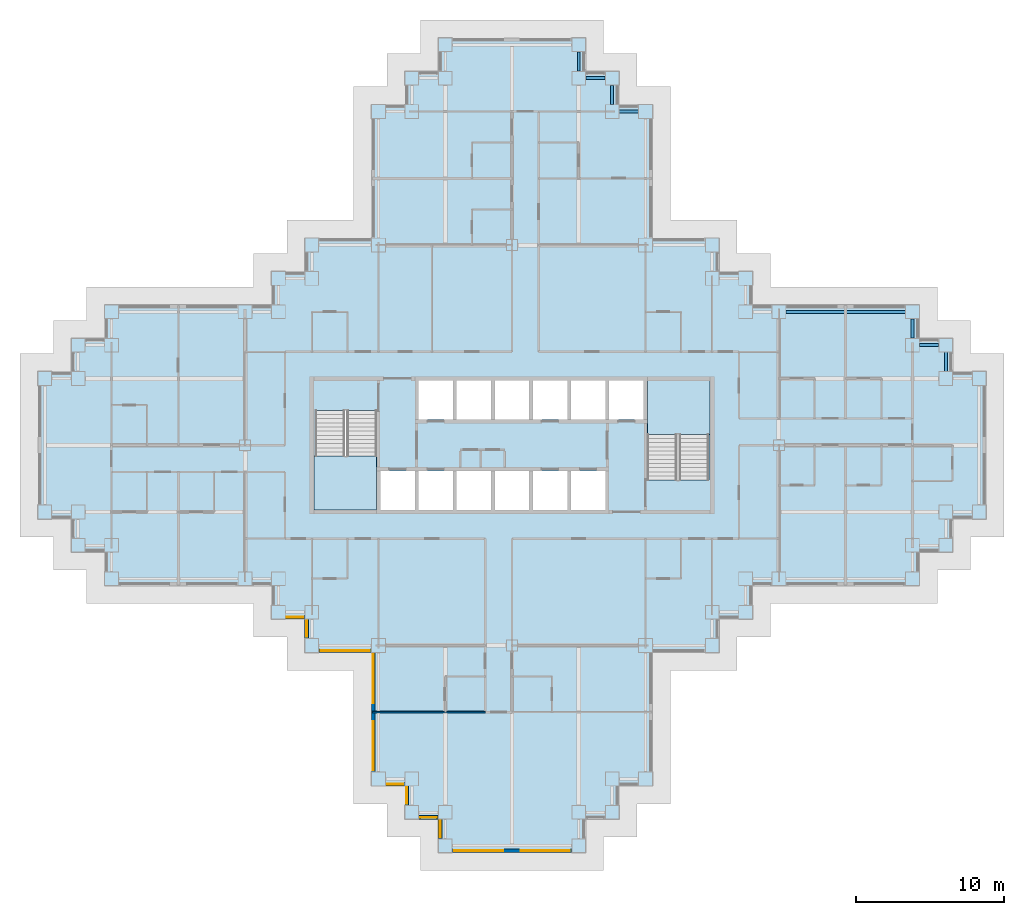
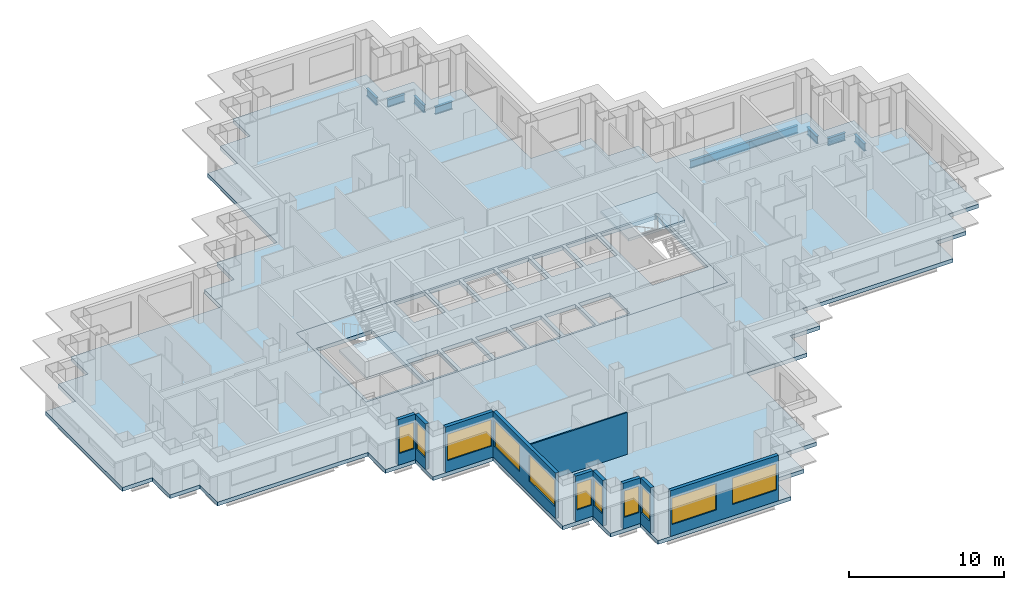
# One storey, part 2 of 15: 11 windows, 10 walls, 8 beams, 4 slabs, 11 openings, 2 elements without a shape of their own.
"""IFC4 building model written with IfcOpenShell, lengths in metres."""

from ifc_helpers import new_model, si_unit, direction, frame, frame_2d, origin, origin_2d, place, context, subcontext, project, spatial, polyline, rectangle, i_section, outline, extrude, material, layer, layer_set, material_profile, profile_set, type_object, element, fill, aggregate, save


model = new_model("IFC4")

# Units and contexts
model_context = context("Model", 3, precision=1e-05, world=origin(), true_north=direction((0.0, 1.0)))
body_context = subcontext(model_context, "Body", "Model", "MODEL_VIEW")
ifc_project = project(units=[si_unit("LENGTHUNIT", "METRE"), si_unit("AREAUNIT", "SQUARE_METRE"), si_unit("VOLUMEUNIT", "CUBIC_METRE"), si_unit("PLANEANGLEUNIT", "RADIAN"), si_unit("MASSUNIT", "GRAM", prefix="KILO")], contexts=[model_context])

# Site, building, storey
site_placement = place(None, origin())
site = spatial("IfcSite", under=ifc_project, at=site_placement, CompositionType="ELEMENT")
building_placement = place(site_placement, origin())
building = spatial("IfcBuilding", under=site, at=building_placement, Name="Caravel Reach Hotel and Residences", CompositionType="ELEMENT")
storey_placement = place(building_placement, frame((0.0, 0.0, 78.0)))
storey = spatial("IfcBuildingStorey", under=building, at=storey_placement, Name="L18", CompositionType="ELEMENT", Elevation=78.0)

# Beams
ifc_material_1 = material(Name="Structural steel Q355B", Category="steel")
ifc_material_profile = material_profile(ifc_material_1, i_section(OverallWidth=0.199951171875, OverallDepth=0.60009765625, WebThickness=0.010986328125, FlangeThickness=0.01708984375, FilletRadius=0.012939453125, at=origin_2d()), Name="HN 600x200x11x17")
ifc_profile_set = profile_set([ifc_material_profile], Name="Structural steel Q355B")
beam_type = type_object("IfcBeamType", Name="Spandrel beam HN 600x200x11x17", PredefinedType="SPANDREL", material=ifc_profile_set)
for number, where, z_axis, x_axis, name in (
    (1, (60.75, 31.97509765625, -0.60009765625), (0.0, 1.0, 0.0), (-1.0, 0.0, 0.0), "SP1 HN 600x200x11x17"),
    (2, (60.27490234375, 33.75, -0.60009765625), (-1.0, 0.0, 0.0), (0.0, -1.0, 0.0), "SP1 HN 600x200x11x17"),
    (3, (58.5, 34.22509765625, -0.60009765625), (0.0, 1.0, 0.0), (-1.0, 0.0, 0.0), "SP1 HN 600x200x11x17"),
):
    element("IfcBeam", number, at=place(storey_placement, frame(where, z_axis=z_axis, x_axis=x_axis)), inside=storey, type_object=beam_type, Name=name, PredefinedType="SPANDREL", context=body_context, shape_type="SweptSolid", body=[
        extrude(i_section(OverallWidth=0.199951171875, OverallDepth=0.60009765625, WebThickness=0.010986328125, FlangeThickness=0.01708984375, FilletRadius=0.012939453125, at=origin_2d()), origin(), (0.0, 0.0, 1.0), 1.2998046875),
    ])
beam_placement = place(storey_placement, frame((58.02490234375, 36.0, -0.60009765625), z_axis=(-1.0, 0.0, 0.0), x_axis=(0.0, -1.0, 0.0)))
element("IfcBeam", 4, at=beam_placement, inside=storey, type_object=beam_type, Name="SP1 HN 600x200x11x17", PredefinedType="SPANDREL", context=body_context, shape_type="SweptSolid", body=[
    extrude(i_section(OverallWidth=0.199951171875, OverallDepth=0.60009765625, WebThickness=0.010986328125, FlangeThickness=0.01708984375, FilletRadius=0.012939453125, at=origin_2d()), origin(), (0.0, 0.0, 1.0), 8.0498046875),
])
for number, where, z_axis, x_axis, name in (
    (5, (40.02490234375, 49.5, -0.60009765625), (-1.0, 0.0, 0.0), (0.0, -1.0, 0.0), "SP1 HN 600x200x11x17"),
    (6, (38.25, 49.97509765625, -0.60009765625), (0.0, 1.0, 0.0), (-1.0, 0.0, 0.0), "SP1 HN 600x200x11x17"),
    (7, (37.77490234375, 51.75, -0.60009765625), (-1.0, 0.0, 0.0), (0.0, -1.0, 0.0), "SP1 HN 600x200x11x17"),
    (8, (36.0, 52.22509765625, -0.60009765625), (0.0, 1.0, 0.0), (-1.0, 0.0, 0.0), "SP1 HN 600x200x11x17"),
):
    element("IfcBeam", number, at=place(storey_placement, frame(where, z_axis=z_axis, x_axis=x_axis)), inside=storey, type_object=beam_type, Name=name, PredefinedType="SPANDREL", context=body_context, shape_type="SweptSolid", body=[
        extrude(i_section(OverallWidth=0.199951171875, OverallDepth=0.60009765625, WebThickness=0.010986328125, FlangeThickness=0.01708984375, FilletRadius=0.012939453125, at=origin_2d()), origin(), (0.0, 0.0, 1.0), 1.2998046875),
    ])

# Slab
ifc_material_2 = material(Name="Concrete C40", Category="concrete")
ifc_layer_1 = layer(ifc_material_2, 0.300048828125)
ifc_layer_set_1 = layer_set([ifc_layer_1], Name="Core floor slab 300 mm")
slab_type_1 = type_object("IfcSlabType", Name="Core floor slab 300 mm", PredefinedType="FLOOR", material=ifc_layer_set_1)
slab_1_placement = place(storey_placement, frame((0.0, 0.0, -0.300048828125)))
element("IfcSlab", 9, at=slab_1_placement, inside=storey, type_object=slab_type_1, Name="L18 core floor", PredefinedType="FLOOR", context=body_context, shape_type="SweptSolid", body=[
    extrude(outline(polyline([(18.0, 31.5), (45.0, 31.5), (45.0, 22.5), (18.0, 22.5), (18.0, 31.5)]), holes=[polyline([(22.625, 25.27490234375), (22.625, 22.64990234375), (24.9462890625, 22.64990234375), (24.9462890625, 25.27490234375), (22.625, 25.27490234375)]), polyline([(27.517822265625, 25.27490234375), (25.1962890625, 25.27490234375), (25.1962890625, 22.64990234375), (27.517822265625, 22.64990234375), (27.517822265625, 25.27490234375)]), polyline([(30.08935546875, 25.27490234375), (27.767822265625, 25.27490234375), (27.767822265625, 22.64990234375), (30.08935546875, 22.64990234375), (30.08935546875, 25.27490234375)]), polyline([(32.66064453125, 25.27490234375), (30.33935546875, 25.27490234375), (30.33935546875, 22.64990234375), (32.66064453125, 22.64990234375), (32.66064453125, 25.27490234375)]), polyline([(18.22509765625, 22.64990234375), (22.375, 22.64990234375), (22.375, 29.35009765625), (18.22509765625, 29.35009765625), (18.22509765625, 22.64990234375)]), polyline([(27.517822265625, 31.35009765625), (25.1962890625, 31.35009765625), (25.1962890625, 28.72509765625), (27.517822265625, 28.72509765625), (27.517822265625, 31.35009765625)]), polyline([(30.08935546875, 31.35009765625), (27.767822265625, 31.35009765625), (27.767822265625, 28.72509765625), (30.08935546875, 28.72509765625), (30.08935546875, 31.35009765625)]), polyline([(32.91064453125, 25.27490234375), (32.91064453125, 22.64990234375), (35.232177734375, 22.64990234375), (35.232177734375, 25.27490234375), (32.91064453125, 25.27490234375)]), polyline([(37.8037109375, 25.27490234375), (35.482177734375, 25.27490234375), (35.482177734375, 22.64990234375), (37.8037109375, 22.64990234375), (37.8037109375, 25.27490234375)]), polyline([(44.77490234375, 31.35009765625), (40.625, 31.35009765625), (40.625, 24.64990234375), (44.77490234375, 24.64990234375), (44.77490234375, 31.35009765625)]), polyline([(32.66064453125, 31.35009765625), (30.33935546875, 31.35009765625), (30.33935546875, 28.72509765625), (32.66064453125, 28.72509765625), (32.66064453125, 31.35009765625)]), polyline([(35.232177734375, 31.35009765625), (32.91064453125, 31.35009765625), (32.91064453125, 28.72509765625), (35.232177734375, 28.72509765625), (35.232177734375, 31.35009765625)]), polyline([(37.8037109375, 31.35009765625), (35.482177734375, 31.35009765625), (35.482177734375, 28.72509765625), (37.8037109375, 28.72509765625), (37.8037109375, 31.35009765625)]), polyline([(40.375, 31.35009765625), (38.0537109375, 31.35009765625), (38.0537109375, 28.72509765625), (40.375, 28.72509765625), (40.375, 31.35009765625)])]), origin(), (0.0, 0.0, 1.0), 0.300048828125),
])

# Stair, slab
ifc_material_3 = material(Name="Concrete C40", Category="concrete")
stair_type = type_object("IfcStairType", Name="Core stair", PredefinedType="HALF_TURN_STAIR", material=ifc_material_3)
stair_1_placement = place(storey_placement, origin())
stair_1 = element("IfcStair", 10, at=stair_1_placement, inside=storey, type_object=stair_type, Name="L18 Exit stair A", PredefinedType="HALF_TURN_STAIR")
ifc_material_4 = material(Name="Concrete C40", Category="concrete")
ifc_layer_2 = layer(ifc_material_4, 0.199951171875)
ifc_layer_set_2 = layer_set([ifc_layer_2], Name="Core stair landing")
slab_type_2 = type_object("IfcSlabType", Name="Core stair landing", PredefinedType="LANDING", material=ifc_layer_set_2)
slab_2_placement = place(storey_placement, frame((0.0, 0.0, 1.60009765625)))
slab_2 = element("IfcSlab", 11, at=slab_2_placement, type_object=slab_type_2, Name="ST-A landing 1", PredefinedType="LANDING", context=body_context, shape_type="SweptSolid", body=[
    extrude(outline(polyline([(18.14990234375, 26.27001953125), (18.14990234375, 22.64990234375), (22.375, 22.64990234375), (22.375, 26.27001953125), (18.14990234375, 26.27001953125)])), origin(), (0.0, 0.0, 1.0), 0.199951171875),
])
aggregate(stair_1, [slab_2])

stair_2_placement = place(storey_placement, origin())
stair_2 = element("IfcStair", 12, at=stair_2_placement, inside=storey, type_object=stair_type, Name="L18 Exit stair B", PredefinedType="HALF_TURN_STAIR")
slab_3_placement = place(storey_placement, frame((0.0, 0.0, 1.60009765625)))
slab_3 = element("IfcSlab", 13, at=slab_3_placement, type_object=slab_type_2, Name="ST-B landing 1", PredefinedType="LANDING", context=body_context, shape_type="SweptSolid", body=[
    extrude(outline(polyline([(44.85009765625, 27.72998046875), (44.85009765625, 31.35009765625), (40.625, 31.35009765625), (40.625, 27.72998046875), (44.85009765625, 27.72998046875)])), origin(), (0.0, 0.0, 1.0), 0.199951171875),
])
aggregate(stair_2, [slab_3])

# Slab
ifc_material_5 = material(Name="Concrete C40 post-tensioned", Category="concrete")
ifc_layer_3 = layer(ifc_material_5, 0.300048828125)
ifc_layer_set_3 = layer_set([ifc_layer_3], Name="Floor slab 300")
slab_type_3 = type_object("IfcSlabType", Name="Floor slab 300", PredefinedType="FLOOR", material=ifc_layer_set_3)
slab_4_placement = place(storey_placement, frame((0.0, 0.0, -0.300048828125)))
element("IfcSlab", 14, at=slab_4_placement, inside=storey, type_object=slab_type_3, Name="S2 slab L18", PredefinedType="FLOOR", context=body_context, shape_type="SweptSolid", body=[
    extrude(outline(polyline([(17.52490234375, 13.02490234375), (17.52490234375, 15.27490234375), (15.27490234375, 15.27490234375), (15.27490234375, 17.52490234375), (4.02490234375, 17.52490234375), (4.02490234375, 19.77490234375), (1.77490234375, 19.77490234375), (1.77490234375, 22.02490234375), (-0.47509765625, 22.02490234375), (-0.47509765625, 31.97509765625), (1.77490234375, 31.97509765625), (1.77490234375, 34.22509765625), (4.02490234375, 34.22509765625), (4.02490234375, 36.47509765625), (15.27490234375, 36.47509765625), (15.27490234375, 38.72509765625), (17.52490234375, 38.72509765625), (17.52490234375, 40.97509765625), (22.02490234375, 40.97509765625), (22.02490234375, 49.97509765625), (24.27490234375, 49.97509765625), (24.27490234375, 52.22509765625), (26.52490234375, 52.22509765625), (26.52490234375, 54.47509765625), (36.47509765625, 54.47509765625), (36.47509765625, 52.22509765625), (38.72509765625, 52.22509765625), (38.72509765625, 49.97509765625), (40.97509765625, 49.97509765625), (40.97509765625, 40.97509765625), (45.47509765625, 40.97509765625), (45.47509765625, 38.72509765625), (47.72509765625, 38.72509765625), (47.72509765625, 36.47509765625), (58.97509765625, 36.47509765625), (58.97509765625, 34.22509765625), (61.22509765625, 34.22509765625), (61.22509765625, 31.97509765625), (63.47509765625, 31.97509765625), (63.47509765625, 22.02490234375), (61.22509765625, 22.02490234375), (61.22509765625, 19.77490234375), (58.97509765625, 19.77490234375), (58.97509765625, 17.52490234375), (47.72509765625, 17.52490234375), (47.72509765625, 15.27490234375), (45.47509765625, 15.27490234375), (45.47509765625, 13.02490234375), (40.97509765625, 13.02490234375), (40.97509765625, 4.02490234375), (38.72509765625, 4.02490234375), (38.72509765625, 1.77490234375), (36.47509765625, 1.77490234375), (36.47509765625, -0.47509765625), (26.52490234375, -0.47509765625), (26.52490234375, 1.77490234375), (24.27490234375, 1.77490234375), (24.27490234375, 4.02490234375), (22.02490234375, 4.02490234375), (22.02490234375, 13.02490234375), (17.52490234375, 13.02490234375)]), holes=[polyline([(45.0, 31.5), (18.0, 31.5), (18.0, 22.5), (45.0, 22.5), (45.0, 31.5)])]), origin(), (0.0, 0.0, 1.0), 0.300048828125),
])

# Wall, opening, window
ifc_material_6 = material(Name="Insulated rainscreen wall, aluminium cladding", Category="aluminium")
ifc_layer_4 = layer(ifc_material_6, 0.25)
ifc_layer_set_4 = layer_set([ifc_layer_4], Name="EW1 Tower rainscreen wall")
wall_type_1 = type_object("IfcWallType", Name="EW1 Tower rainscreen wall", PredefinedType="SOLIDWALL", material=ifc_layer_set_4)
wall_1_placement = place(storey_placement, frame((22.97509765625, 4.14990234375, 0.0), z_axis=(0.0, 0.0, 1.0), x_axis=(1.0, 0.0, 0.0)))
wall_1 = element("IfcWall", 15, at=wall_1_placement, inside=storey, type_object=wall_type_1, Name="External wall L18 S1.1", PredefinedType="SOLIDWALL", context=body_context, shape_type="SweptSolid", body=[
    extrude(rectangle(XDim=1.2998046875, YDim=0.25, at=frame_2d((0.64990234375, 0.0))), origin(), (0.0, 0.0, 1.0), 3.60009765625),
])
opening_1_placement = place(wall_1_placement, frame((0.10009765625, 0.0, 0.89990234375)))
opening_1 = element("IfcOpeningElement", 16, at=opening_1_placement, cuts=wall_1, Name="Opening WN5", PredefinedType="OPENING", context=body_context, shape_type="SweptSolid", body=[
    extrude(rectangle(XDim=1.10009765625, YDim=2.080078125, at=frame_2d((0.550048828125, 1.0400390625))), frame((0.0, 0.135009765625, 0.0), z_axis=(0.0, -1.0, 0.0), x_axis=(1.0, 0.0, 0.0)), (0.0, 0.0, 1.0), 0.27001953125),
])
ifc_material_7 = material(Name="Dark low-e glazing in black aluminium frame", Category="aluminium")
window_type_1 = type_object("IfcWindowType", Name="Hotel suite corner window 1100 x 2080", PartitioningType="SINGLE_PANEL", PredefinedType="WINDOW", material=ifc_material_7)
window_1_placement = place(opening_1_placement, origin())
window_1 = element("IfcWindow", 17, at=window_1_placement, inside=storey, type_object=window_type_1, Name="Window L18 S1.1.1", OverallHeight=2.080078125, OverallWidth=1.10009765625, PartitioningType="SINGLE_PANEL", PredefinedType="WINDOW", context=body_context, shape_type="SweptSolid", body=[
    extrude(rectangle(XDim=1.10009765625, YDim=2.080078125, at=frame_2d((0.550048828125, 1.0400390625))), frame((0.0, 0.030029296875, 0.0), z_axis=(0.0, -1.0, 0.0), x_axis=(1.0, 0.0, 0.0)), (0.0, 0.0, 1.0), 0.06005859375),
])
fill(opening_1, window_1)

wall_2_placement = place(storey_placement, frame((24.39990234375, 4.02490234375, 0.0), z_axis=(0.0, 0.0, 1.0), x_axis=(0.0, -1.0, 0.0)))
wall_2 = element("IfcWall", 18, at=wall_2_placement, inside=storey, type_object=wall_type_1, Name="External wall L18 W2.1", PredefinedType="SOLIDWALL", context=body_context, shape_type="SweptSolid", body=[
    extrude(rectangle(XDim=1.2998046875, YDim=0.25, at=frame_2d((0.64990234375, 0.0))), origin(), (0.0, 0.0, 1.0), 3.60009765625),
])
opening_2_placement = place(wall_2_placement, frame((0.10009765625, 0.0, 0.89990234375)))
opening_2 = element("IfcOpeningElement", 19, at=opening_2_placement, cuts=wall_2, Name="Opening WN5", PredefinedType="OPENING", context=body_context, shape_type="SweptSolid", body=[
    extrude(rectangle(XDim=1.10009765625, YDim=2.080078125, at=frame_2d((0.550048828125, 1.0400390625))), frame((0.0, 0.135009765625, 0.0), z_axis=(0.0, -1.0, 0.0), x_axis=(1.0, 0.0, 0.0)), (0.0, 0.0, 1.0), 0.27001953125),
])
window_2_placement = place(opening_2_placement, origin())
window_2 = element("IfcWindow", 20, at=window_2_placement, inside=storey, type_object=window_type_1, Name="Window L18 W2.1.1", OverallHeight=2.080078125, OverallWidth=1.10009765625, PartitioningType="SINGLE_PANEL", PredefinedType="WINDOW", context=body_context, shape_type="SweptSolid", body=[
    extrude(rectangle(XDim=1.10009765625, YDim=2.080078125, at=frame_2d((0.550048828125, 1.0400390625))), frame((0.0, 0.030029296875, 0.0), z_axis=(0.0, -1.0, 0.0), x_axis=(1.0, 0.0, 0.0)), (0.0, 0.0, 1.0), 0.06005859375),
])
fill(opening_2, window_2)

wall_3_placement = place(storey_placement, frame((25.22509765625, 1.89990234375, 0.0), z_axis=(0.0, 0.0, 1.0), x_axis=(1.0, 0.0, 0.0)))
wall_3 = element("IfcWall", 21, at=wall_3_placement, inside=storey, type_object=wall_type_1, Name="External wall L18 S3.1", PredefinedType="SOLIDWALL", context=body_context, shape_type="SweptSolid", body=[
    extrude(rectangle(XDim=1.2998046875, YDim=0.25, at=frame_2d((0.64990234375, 0.0))), origin(), (0.0, 0.0, 1.0), 3.60009765625),
])
opening_3_placement = place(wall_3_placement, frame((0.10009765625, 0.0, 0.89990234375)))
opening_3 = element("IfcOpeningElement", 22, at=opening_3_placement, cuts=wall_3, Name="Opening WN5", PredefinedType="OPENING", context=body_context, shape_type="SweptSolid", body=[
    extrude(rectangle(XDim=1.10009765625, YDim=2.080078125, at=frame_2d((0.550048828125, 1.0400390625))), frame((0.0, 0.135009765625, 0.0), z_axis=(0.0, -1.0, 0.0), x_axis=(1.0, 0.0, 0.0)), (0.0, 0.0, 1.0), 0.27001953125),
])
window_3_placement = place(opening_3_placement, origin())
window_3 = element("IfcWindow", 23, at=window_3_placement, inside=storey, type_object=window_type_1, Name="Window L18 S3.1.1", OverallHeight=2.080078125, OverallWidth=1.10009765625, PartitioningType="SINGLE_PANEL", PredefinedType="WINDOW", context=body_context, shape_type="SweptSolid", body=[
    extrude(rectangle(XDim=1.10009765625, YDim=2.080078125, at=frame_2d((0.550048828125, 1.0400390625))), frame((0.0, 0.030029296875, 0.0), z_axis=(0.0, -1.0, 0.0), x_axis=(1.0, 0.0, 0.0)), (0.0, 0.0, 1.0), 0.06005859375),
])
fill(opening_3, window_3)

wall_4_placement = place(storey_placement, frame((26.64990234375, 1.77490234375, 0.0), z_axis=(0.0, 0.0, 1.0), x_axis=(0.0, -1.0, 0.0)))
wall_4 = element("IfcWall", 24, at=wall_4_placement, inside=storey, type_object=wall_type_1, Name="External wall L18 W4.1", PredefinedType="SOLIDWALL", context=body_context, shape_type="SweptSolid", body=[
    extrude(rectangle(XDim=1.2998046875, YDim=0.25, at=frame_2d((0.64990234375, 0.0))), origin(), (0.0, 0.0, 1.0), 3.60009765625),
])
opening_4_placement = place(wall_4_placement, frame((0.10009765625, 0.0, 0.89990234375)))
opening_4 = element("IfcOpeningElement", 25, at=opening_4_placement, cuts=wall_4, Name="Opening WN5", PredefinedType="OPENING", context=body_context, shape_type="SweptSolid", body=[
    extrude(rectangle(XDim=1.10009765625, YDim=2.080078125, at=frame_2d((0.550048828125, 1.0400390625))), frame((0.0, 0.135009765625, 0.0), z_axis=(0.0, -1.0, 0.0), x_axis=(1.0, 0.0, 0.0)), (0.0, 0.0, 1.0), 0.27001953125),
])
window_4_placement = place(opening_4_placement, origin())
window_4 = element("IfcWindow", 26, at=window_4_placement, inside=storey, type_object=window_type_1, Name="Window L18 W4.1.1", OverallHeight=2.080078125, OverallWidth=1.10009765625, PartitioningType="SINGLE_PANEL", PredefinedType="WINDOW", context=body_context, shape_type="SweptSolid", body=[
    extrude(rectangle(XDim=1.10009765625, YDim=2.080078125, at=frame_2d((0.550048828125, 1.0400390625))), frame((0.0, 0.030029296875, 0.0), z_axis=(0.0, -1.0, 0.0), x_axis=(1.0, 0.0, 0.0)), (0.0, 0.0, 1.0), 0.06005859375),
])
fill(opening_4, window_4)

# Wall, openings, windows
wall_5_placement = place(storey_placement, frame((27.47509765625, -0.35009765625, 0.0), z_axis=(0.0, 0.0, 1.0), x_axis=(1.0, 0.0, 0.0)))
wall_5 = element("IfcWall", 27, at=wall_5_placement, inside=storey, type_object=wall_type_1, Name="External wall L18 S5.1", PredefinedType="SOLIDWALL", context=body_context, shape_type="SweptSolid", body=[
    extrude(rectangle(XDim=8.0498046875, YDim=0.25, at=frame_2d((4.02490234375, 0.0))), origin(), (0.0, 0.0, 1.0), 3.60009765625),
])
opening_5_placement = place(wall_5_placement, frame((0.125, 0.0, 0.89990234375)))
opening_5 = element("IfcOpeningElement", 28, at=opening_5_placement, cuts=wall_5, Name="Opening WN4", PredefinedType="OPENING", context=body_context, shape_type="SweptSolid", body=[
    extrude(rectangle(XDim=3.300048828125, YDim=2.080078125, at=frame_2d((1.64990234375, 1.0400390625))), frame((0.0, 0.135009765625, 0.0), z_axis=(0.0, -1.0, 0.0), x_axis=(1.0, 0.0, 0.0)), (0.0, 0.0, 1.0), 0.27001953125),
])
opening_6_placement = place(wall_5_placement, frame((4.625, 0.0, 0.89990234375)))
opening_6 = element("IfcOpeningElement", 29, at=opening_6_placement, cuts=wall_5, Name="Opening WN4", PredefinedType="OPENING", context=body_context, shape_type="SweptSolid", body=[
    extrude(rectangle(XDim=3.300048828125, YDim=2.080078125, at=frame_2d((1.64990234375, 1.0400390625))), frame((0.0, 0.135009765625, 0.0), z_axis=(0.0, -1.0, 0.0), x_axis=(1.0, 0.0, 0.0)), (0.0, 0.0, 1.0), 0.27001953125),
])
ifc_material_8 = material(Name="Dark low-e glazing in black aluminium frame", Category="aluminium")
window_type_2 = type_object("IfcWindowType", Name="Hotel guest room window 3300 x 2080", PartitioningType="SINGLE_PANEL", PredefinedType="WINDOW", material=ifc_material_8)
window_5_placement = place(opening_5_placement, origin())
window_5 = element("IfcWindow", 30, at=window_5_placement, inside=storey, type_object=window_type_2, Name="Window L18 S5.1.1", OverallHeight=2.080078125, OverallWidth=3.300048828125, PartitioningType="SINGLE_PANEL", PredefinedType="WINDOW", context=body_context, shape_type="SweptSolid", body=[
    extrude(rectangle(XDim=3.300048828125, YDim=2.080078125, at=frame_2d((1.64990234375, 1.0400390625))), frame((0.0, 0.030029296875, 0.0), z_axis=(0.0, -1.0, 0.0), x_axis=(1.0, 0.0, 0.0)), (0.0, 0.0, 1.0), 0.06005859375),
])
fill(opening_5, window_5)
window_6_placement = place(opening_6_placement, origin())
window_6 = element("IfcWindow", 31, at=window_6_placement, inside=storey, type_object=window_type_2, Name="Window L18 S5.1.2", OverallHeight=2.080078125, OverallWidth=3.300048828125, PartitioningType="SINGLE_PANEL", PredefinedType="WINDOW", context=body_context, shape_type="SweptSolid", body=[
    extrude(rectangle(XDim=3.300048828125, YDim=2.080078125, at=frame_2d((1.64990234375, 1.0400390625))), frame((0.0, 0.030029296875, 0.0), z_axis=(0.0, -1.0, 0.0), x_axis=(1.0, 0.0, 0.0)), (0.0, 0.0, 1.0), 0.06005859375),
])
fill(opening_6, window_6)

# Wall, opening, window
wall_6_placement = place(storey_placement, frame((16.22509765625, 15.39990234375, 0.0), z_axis=(0.0, 0.0, 1.0), x_axis=(1.0, 0.0, 0.0)))
wall_6 = element("IfcWall", 32, at=wall_6_placement, inside=storey, type_object=wall_type_1, Name="External wall L18 S57.1", PredefinedType="SOLIDWALL", context=body_context, shape_type="SweptSolid", body=[
    extrude(rectangle(XDim=1.2998046875, YDim=0.25, at=frame_2d((0.64990234375, 0.0))), origin(), (0.0, 0.0, 1.0), 3.60009765625),
])
opening_7_placement = place(wall_6_placement, frame((0.10009765625, 0.0, 0.89990234375)))
opening_7 = element("IfcOpeningElement", 33, at=opening_7_placement, cuts=wall_6, Name="Opening WN5", PredefinedType="OPENING", context=body_context, shape_type="SweptSolid", body=[
    extrude(rectangle(XDim=1.10009765625, YDim=2.080078125, at=frame_2d((0.550048828125, 1.0400390625))), frame((0.0, 0.135009765625, 0.0), z_axis=(0.0, -1.0, 0.0), x_axis=(1.0, 0.0, 0.0)), (0.0, 0.0, 1.0), 0.27001953125),
])
window_7_placement = place(opening_7_placement, origin())
window_7 = element("IfcWindow", 34, at=window_7_placement, inside=storey, type_object=window_type_1, Name="Window L18 S57.1.1", OverallHeight=2.080078125, OverallWidth=1.10009765625, PartitioningType="SINGLE_PANEL", PredefinedType="WINDOW", context=body_context, shape_type="SweptSolid", body=[
    extrude(rectangle(XDim=1.10009765625, YDim=2.080078125, at=frame_2d((0.550048828125, 1.0400390625))), frame((0.0, 0.030029296875, 0.0), z_axis=(0.0, -1.0, 0.0), x_axis=(1.0, 0.0, 0.0)), (0.0, 0.0, 1.0), 0.06005859375),
])
fill(opening_7, window_7)

wall_7_placement = place(storey_placement, frame((17.64990234375, 15.27490234375, 0.0), z_axis=(0.0, 0.0, 1.0), x_axis=(0.0, -1.0, 0.0)))
wall_7 = element("IfcWall", 35, at=wall_7_placement, inside=storey, type_object=wall_type_1, Name="External wall L18 W58.1", PredefinedType="SOLIDWALL", context=body_context, shape_type="SweptSolid", body=[
    extrude(rectangle(XDim=1.2998046875, YDim=0.25, at=frame_2d((0.64990234375, 0.0))), origin(), (0.0, 0.0, 1.0), 3.60009765625),
])
opening_8_placement = place(wall_7_placement, frame((0.10009765625, 0.0, 0.89990234375)))
opening_8 = element("IfcOpeningElement", 36, at=opening_8_placement, cuts=wall_7, Name="Opening WN5", PredefinedType="OPENING", context=body_context, shape_type="SweptSolid", body=[
    extrude(rectangle(XDim=1.10009765625, YDim=2.080078125, at=frame_2d((0.550048828125, 1.0400390625))), frame((0.0, 0.135009765625, 0.0), z_axis=(0.0, -1.0, 0.0), x_axis=(1.0, 0.0, 0.0)), (0.0, 0.0, 1.0), 0.27001953125),
])
window_8_placement = place(opening_8_placement, origin())
window_8 = element("IfcWindow", 37, at=window_8_placement, inside=storey, type_object=window_type_1, Name="Window L18 W58.1.1", OverallHeight=2.080078125, OverallWidth=1.10009765625, PartitioningType="SINGLE_PANEL", PredefinedType="WINDOW", context=body_context, shape_type="SweptSolid", body=[
    extrude(rectangle(XDim=1.10009765625, YDim=2.080078125, at=frame_2d((0.550048828125, 1.0400390625))), frame((0.0, 0.030029296875, 0.0), z_axis=(0.0, -1.0, 0.0), x_axis=(1.0, 0.0, 0.0)), (0.0, 0.0, 1.0), 0.06005859375),
])
fill(opening_8, window_8)

wall_8_placement = place(storey_placement, frame((18.47509765625, 13.14990234375, 0.0), z_axis=(0.0, 0.0, 1.0), x_axis=(1.0, 0.0, 0.0)))
wall_8 = element("IfcWall", 38, at=wall_8_placement, inside=storey, type_object=wall_type_1, Name="External wall L18 S59.1", PredefinedType="SOLIDWALL", context=body_context, shape_type="SweptSolid", body=[
    extrude(rectangle(XDim=3.5498046875, YDim=0.25, at=frame_2d((1.77490234375, 0.0))), origin(), (0.0, 0.0, 1.0), 3.60009765625),
])
opening_9_placement = place(wall_8_placement, frame((0.125, 0.0, 0.89990234375)))
opening_9 = element("IfcOpeningElement", 39, at=opening_9_placement, cuts=wall_8, Name="Opening WN4", PredefinedType="OPENING", context=body_context, shape_type="SweptSolid", body=[
    extrude(rectangle(XDim=3.300048828125, YDim=2.080078125, at=frame_2d((1.64990234375, 1.0400390625))), frame((0.0, 0.135009765625, 0.0), z_axis=(0.0, -1.0, 0.0), x_axis=(1.0, 0.0, 0.0)), (0.0, 0.0, 1.0), 0.27001953125),
])
window_9_placement = place(opening_9_placement, origin())
window_9 = element("IfcWindow", 40, at=window_9_placement, inside=storey, type_object=window_type_2, Name="Window L18 S59.1.1", OverallHeight=2.080078125, OverallWidth=3.300048828125, PartitioningType="SINGLE_PANEL", PredefinedType="WINDOW", context=body_context, shape_type="SweptSolid", body=[
    extrude(rectangle(XDim=3.300048828125, YDim=2.080078125, at=frame_2d((1.64990234375, 1.0400390625))), frame((0.0, 0.030029296875, 0.0), z_axis=(0.0, -1.0, 0.0), x_axis=(1.0, 0.0, 0.0)), (0.0, 0.0, 1.0), 0.06005859375),
])
fill(opening_9, window_9)

# Wall, openings, windows
wall_9_placement = place(storey_placement, frame((22.14990234375, 13.02490234375, 0.0), z_axis=(0.0, 0.0, 1.0), x_axis=(0.0, -1.0, 0.0)))
wall_9 = element("IfcWall", 41, at=wall_9_placement, inside=storey, type_object=wall_type_1, Name="External wall L18 W60.1", PredefinedType="SOLIDWALL", context=body_context, shape_type="SweptSolid", body=[
    extrude(rectangle(XDim=8.0498046875, YDim=0.25, at=frame_2d((4.02490234375, 0.0))), origin(), (0.0, 0.0, 1.0), 3.60009765625),
])
opening_10_placement = place(wall_9_placement, frame((0.125, 0.0, 0.89990234375)))
opening_10 = element("IfcOpeningElement", 42, at=opening_10_placement, cuts=wall_9, Name="Opening WN4", PredefinedType="OPENING", context=body_context, shape_type="SweptSolid", body=[
    extrude(rectangle(XDim=3.300048828125, YDim=2.080078125, at=frame_2d((1.64990234375, 1.0400390625))), frame((0.0, 0.135009765625, 0.0), z_axis=(0.0, -1.0, 0.0), x_axis=(1.0, 0.0, 0.0)), (0.0, 0.0, 1.0), 0.27001953125),
])
opening_11_placement = place(wall_9_placement, frame((4.625, 0.0, 0.89990234375)))
opening_11 = element("IfcOpeningElement", 43, at=opening_11_placement, cuts=wall_9, Name="Opening WN4", PredefinedType="OPENING", context=body_context, shape_type="SweptSolid", body=[
    extrude(rectangle(XDim=3.300048828125, YDim=2.080078125, at=frame_2d((1.64990234375, 1.0400390625))), frame((0.0, 0.135009765625, 0.0), z_axis=(0.0, -1.0, 0.0), x_axis=(1.0, 0.0, 0.0)), (0.0, 0.0, 1.0), 0.27001953125),
])
window_10_placement = place(opening_10_placement, origin())
window_10 = element("IfcWindow", 44, at=window_10_placement, inside=storey, type_object=window_type_2, Name="Window L18 W60.1.1", OverallHeight=2.080078125, OverallWidth=3.300048828125, PartitioningType="SINGLE_PANEL", PredefinedType="WINDOW", context=body_context, shape_type="SweptSolid", body=[
    extrude(rectangle(XDim=3.300048828125, YDim=2.080078125, at=frame_2d((1.64990234375, 1.0400390625))), frame((0.0, 0.030029296875, 0.0), z_axis=(0.0, -1.0, 0.0), x_axis=(1.0, 0.0, 0.0)), (0.0, 0.0, 1.0), 0.06005859375),
])
fill(opening_10, window_10)
window_11_placement = place(opening_11_placement, origin())
window_11 = element("IfcWindow", 45, at=window_11_placement, inside=storey, type_object=window_type_2, Name="Window L18 W60.1.2", OverallHeight=2.080078125, OverallWidth=3.300048828125, PartitioningType="SINGLE_PANEL", PredefinedType="WINDOW", context=body_context, shape_type="SweptSolid", body=[
    extrude(rectangle(XDim=3.300048828125, YDim=2.080078125, at=frame_2d((1.64990234375, 1.0400390625))), frame((0.0, 0.030029296875, 0.0), z_axis=(0.0, -1.0, 0.0), x_axis=(1.0, 0.0, 0.0)), (0.0, 0.0, 1.0), 0.06005859375),
])
fill(opening_11, window_11)

# Wall
ifc_material_9 = material(Name="Gypsum board on steel stud", Category="steel")
ifc_layer_5 = layer(ifc_material_9, 0.10009765625)
ifc_layer_set_5 = layer_set([ifc_layer_5], Name="Partition 100 mm")
wall_type_2 = type_object("IfcWallType", Name="Partition 100 mm", PredefinedType="PARTITIONING", material=ifc_layer_set_5)
wall_10_placement = place(storey_placement, frame((22.0849609375, 9.0, 0.0), z_axis=(0.0, 0.0, 1.0), x_axis=(1.0, 0.0, 0.0)))
element("IfcWall", 46, at=wall_10_placement, inside=storey, type_object=wall_type_2, Name="L18 wall w056", PredefinedType="PARTITIONING", context=body_context, shape_type="SweptSolid", body=[
    extrude(rectangle(XDim=7.614990234375, YDim=0.10009765625, at=frame_2d((3.8076171875, 0.0))), origin(), (0.0, 0.0, 1.0), 3.300048828125),
])

save(model, "model.ifc")
